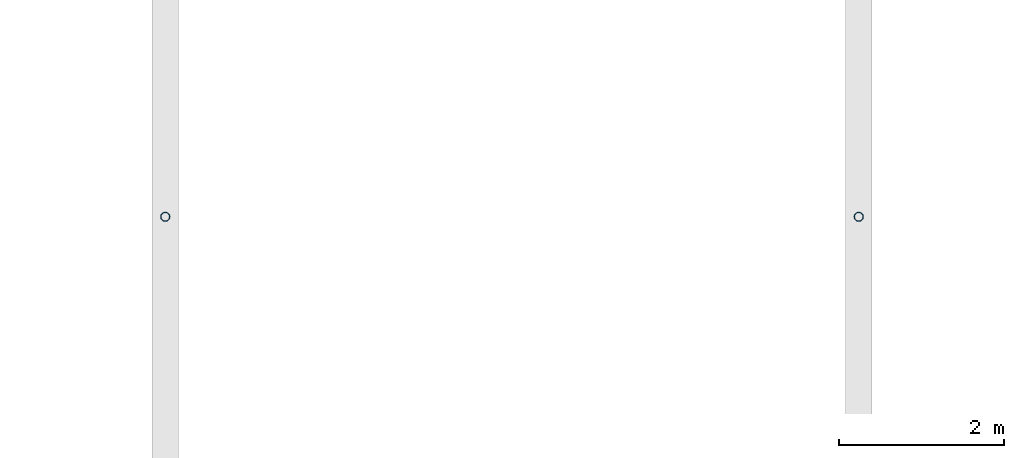
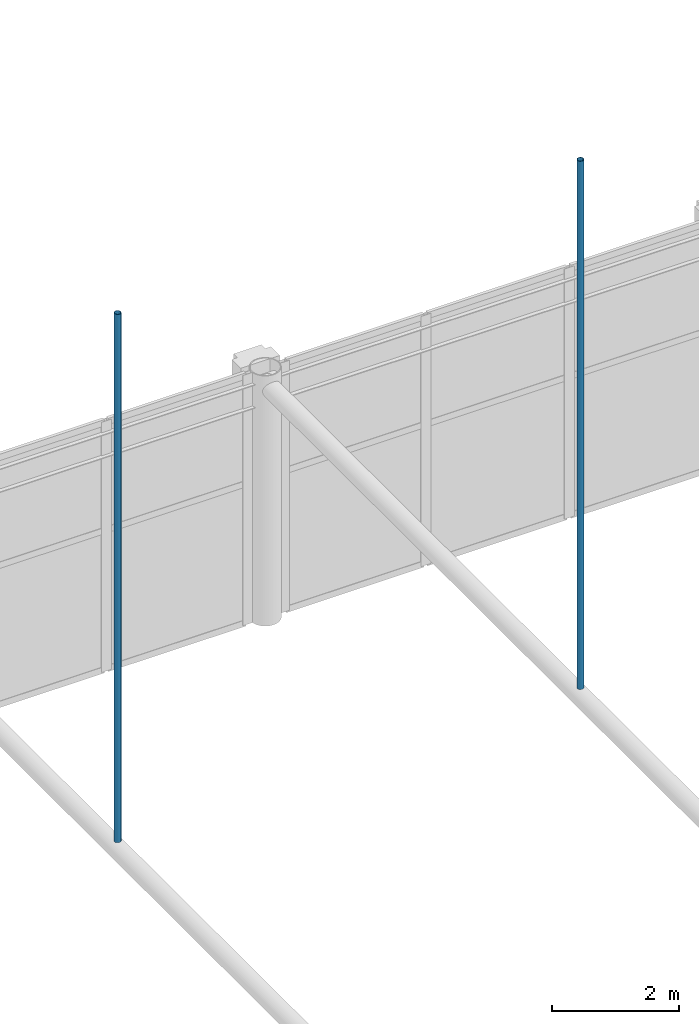
# One storey, part 113 of 167: 2 members.
"""IFC4 building model written with IfcOpenShell, lengths in metres."""

from ifc_helpers import new_model, si_unit, direction, frame, origin, origin_2d, place, context, subcontext, project, spatial, hollow_circle, extrude, material, material_profile, profile_set, type_object, element, save


model = new_model("IFC4")

# Units and contexts
model_context = context("Model", 3, precision=1e-05, world=origin(), true_north=direction((0.0, 1.0)))
body_context = subcontext(model_context, "Body", "Model", "MODEL_VIEW")
ifc_project = project(units=[si_unit("LENGTHUNIT", "METRE"), si_unit("AREAUNIT", "SQUARE_METRE"), si_unit("VOLUMEUNIT", "CUBIC_METRE"), si_unit("PLANEANGLEUNIT", "RADIAN"), si_unit("MASSUNIT", "GRAM", prefix="KILO")], contexts=[model_context])

# Site, building, storey
site_placement = place(None, origin())
site = spatial("IfcSite", under=ifc_project, at=site_placement, CompositionType="ELEMENT")
building_placement = place(site_placement, origin())
building = spatial("IfcBuilding", under=site, at=building_placement, Name="Catenary Quay Ferry Terminal", CompositionType="ELEMENT")
storey_placement = place(building_placement, frame((0.0, 0.0, 6.0)))
storey = spatial("IfcBuildingStorey", under=building, at=storey_placement, Name="L01", CompositionType="ELEMENT", Elevation=6.0)

# Members
ifc_material = material(Name="Steel S355", Category="steel")
ifc_material_profile = material_profile(ifc_material, hollow_circle(Radius=0.05712890625, WallThickness=0.00634765625, at=origin_2d()), Name="CHS 114.3x6.3")
ifc_profile_set = profile_set([ifc_material_profile], Name="Steel S355")
member_type = type_object("IfcMemberType", Name="HG1 CHS 114.3x6.3", PredefinedType="POST", material=ifc_profile_set)
for number, where, z_axis, x_axis, name in (
    (1, (75.60009765625, 132.889892578125, 4.654052734375), (0.0, 0.0, 1.0), (1.0, 0.0, 0.0), "Hanger VD-07-08"),
    (2, (84.0, 132.889892578125, 4.654052734375), (0.0, 0.0, 1.0), (1.0, 0.0, 0.0), "Hanger VD-08-08"),
):
    element("IfcMember", number, at=place(storey_placement, frame(where, z_axis=z_axis, x_axis=x_axis)), inside=storey, type_object=member_type, Name=name, PredefinedType="POST", context=body_context, shape_type="SweptSolid", body=[
        extrude(hollow_circle(Radius=0.05712890625, WallThickness=0.00634765625, at=origin_2d()), origin(), (0.0, 0.0, 1.0), 10.137939453125),
    ])

save(model, "model.ifc")
